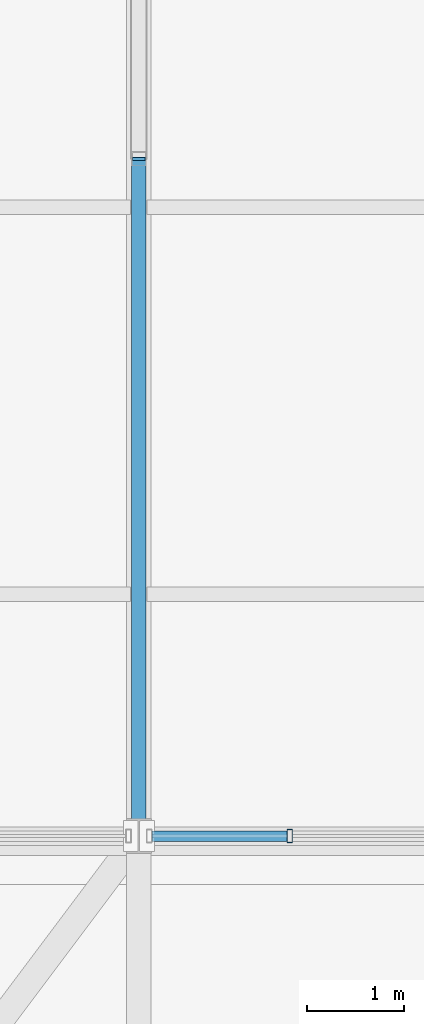
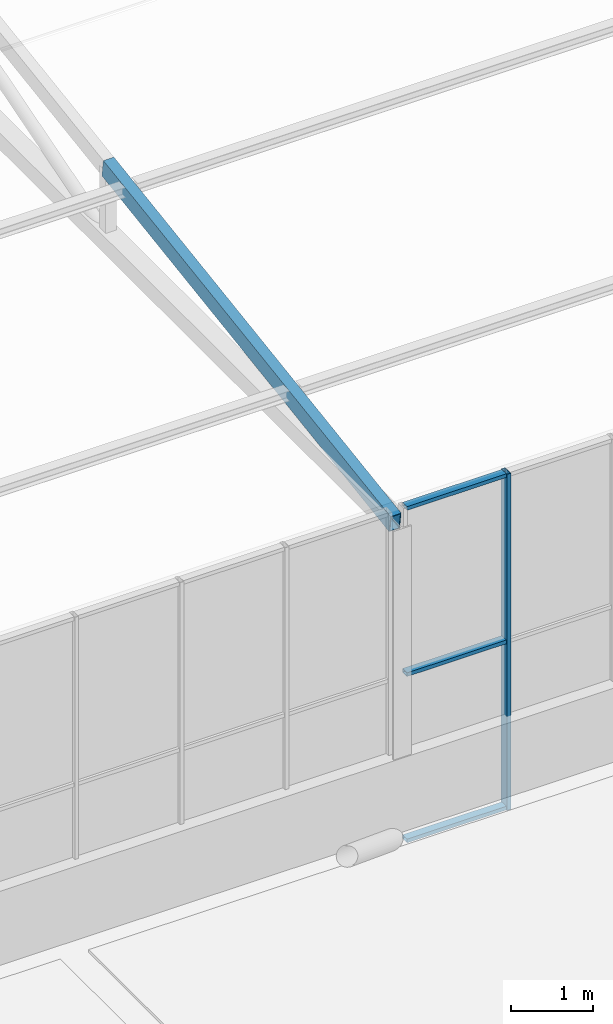
# One storey, part 57 of 104: 5 members, 1 element without a shape of its own.
"""IFC4 building model written with IfcOpenShell, lengths in metres."""

from ifc_helpers import new_model, si_unit, direction, frame, origin, origin_2d, place, context, subcontext, project, spatial, hollow_rectangle, extrude, material, layer, layer_set, material_profile, profile_set, type_object, element, aggregate, save


model = new_model("IFC4")

# Units and contexts
model_context = context("Model", 3, precision=1e-05, world=origin(), true_north=direction((0.0, 1.0)))
body_context = subcontext(model_context, "Body", "Model", "MODEL_VIEW")
ifc_project = project(units=[si_unit("LENGTHUNIT", "METRE"), si_unit("AREAUNIT", "SQUARE_METRE"), si_unit("VOLUMEUNIT", "CUBIC_METRE"), si_unit("PLANEANGLEUNIT", "RADIAN"), si_unit("MASSUNIT", "GRAM", prefix="KILO")], contexts=[model_context])

# Site, building, storey
site_placement = place(None, origin())
site = spatial("IfcSite", under=ifc_project, at=site_placement, CompositionType="ELEMENT")
building_placement = place(site_placement, origin())
building = spatial("IfcBuilding", under=site, at=building_placement, Name="Solvenia Promenade Tram Depot", CompositionType="ELEMENT")
storey_placement = place(building_placement, frame((0.0, 0.0, 9.0)))
storey = spatial("IfcBuildingStorey", under=building, at=storey_placement, Name="L02", CompositionType="ELEMENT", Elevation=9.0)

# Curtain wall, members
ifc_material_1 = material(Name="Anodized aluminium AW-6063 T6", Category="aluminium")
ifc_layer = layer(ifc_material_1, 0.080078125, Name="Anodized aluminium AW-6063 T6", Category="aluminium")
ifc_layer_set = layer_set([ifc_layer], Name="Anodized aluminium AW-6063 T6")
curtain_wall_type = type_object("IfcCurtainWallType", Name="CW-Clerest-1500", PredefinedType="NOTDEFINED", material=ifc_layer_set)
curtain_wall_placement = place(storey_placement, origin())
curtain_wall = element("IfcCurtainWall", 1, at=curtain_wall_placement, inside=storey, type_object=curtain_wall_type, Name="Curtain Wall CW-V2S-L2-09", PredefinedType="NOTDEFINED")
ifc_material_profile_1 = material_profile(ifc_material_1, hollow_rectangle(XDim=0.139892578125, YDim=0.054931640625, WallThickness=0.00390625, at=origin_2d()), Name="ALU-M4", Category="aluminium")
ifc_profile_set_1 = profile_set([ifc_material_profile_1], Name="Anodized aluminium AW-6063 T6")
member_type_1 = type_object("IfcMemberType", Name="CWM-Mullion-4", PredefinedType="MULLION", material=ifc_profile_set_1)
member_1_placement = place(storey_placement, frame((175.56005859375, 24.0, -0.300048828125), z_axis=(0.0, 0.0, 1.0), x_axis=(0.0, 1.0, 0.0)))
member_1 = element("IfcMember", 2, at=member_1_placement, type_object=member_type_1, Name="CW-4 mullion 2", PredefinedType="MULLION", context=body_context, shape_type="SweptSolid", body=[
    extrude(hollow_rectangle(XDim=0.139892578125, YDim=0.054931640625, WallThickness=0.00390625, at=origin_2d()), origin(), (0.0, 0.0, 1.0), 5.0),
])
ifc_material_profile_2 = material_profile(ifc_material_1, hollow_rectangle(XDim=0.110107421875, YDim=0.054931640625, WallThickness=0.00390625, at=origin_2d()), Name="ALU-T4", Category="aluminium")
ifc_profile_set_2 = profile_set([ifc_material_profile_2], Name="Anodized aluminium AW-6063 T6")
member_type_2 = type_object("IfcMemberType", Name="CWT-Transom-4", PredefinedType="USERDEFINED", material=ifc_profile_set_2)
member_2_placement = place(storey_placement, frame((174.135009765625, 24.0, -0.2724609375), z_axis=(1.0, 0.0, 0.0), x_axis=(0.0, 1.0, 0.0)))
member_2 = element("IfcMember", 3, at=member_2_placement, type_object=member_type_2, Name="CW-4 transom 1.1", ObjectType="TRANSOM", PredefinedType="USERDEFINED", context=body_context, shape_type="SweptSolid", body=[
    extrude(hollow_rectangle(XDim=0.110107421875, YDim=0.054931640625, WallThickness=0.00390625, at=origin_2d()), origin(), (0.0, 0.0, 1.0), 1.3974609375),
])
member_3_placement = place(storey_placement, frame((174.135009765625, 24.0, 2.199951171875), z_axis=(1.0, 0.0, 0.0), x_axis=(0.0, 1.0, 0.0)))
member_3 = element("IfcMember", 4, at=member_3_placement, type_object=member_type_2, Name="CW-4 transom 1.2", ObjectType="TRANSOM", PredefinedType="USERDEFINED", context=body_context, shape_type="SweptSolid", body=[
    extrude(hollow_rectangle(XDim=0.110107421875, YDim=0.054931640625, WallThickness=0.00390625, at=origin_2d()), origin(), (0.0, 0.0, 1.0), 1.3974609375),
])
member_4_placement = place(storey_placement, frame((174.135009765625, 24.0, 4.672607421875), z_axis=(1.0, 0.0, 0.0), x_axis=(0.0, 1.0, 0.0)))
member_4 = element("IfcMember", 5, at=member_4_placement, type_object=member_type_2, Name="CW-4 transom 1.3", ObjectType="TRANSOM", PredefinedType="USERDEFINED", context=body_context, shape_type="SweptSolid", body=[
    extrude(hollow_rectangle(XDim=0.110107421875, YDim=0.054931640625, WallThickness=0.00390625, at=origin_2d()), origin(), (0.0, 0.0, 1.0), 1.3974609375),
])
aggregate(curtain_wall, [member_1, member_2, member_3, member_4])

# Member
ifc_material_2 = material(Name="Structural steel ASTM A500 Gr. C", Category="steel")
ifc_material_profile_3 = material_profile(ifc_material_2, hollow_rectangle(XDim=0.14990234375, YDim=0.25, WallThickness=0.010009765625, at=origin_2d()), Name="HSS250x150x10", Category="steel")
ifc_profile_set_3 = profile_set([ifc_material_profile_3], Name="Structural steel ASTM A500 Gr. C")
member_type_3 = type_object("IfcMemberType", Name="Chord-HSS250x150x10", PredefinedType="CHORD", material=ifc_profile_set_3)
member_5_placement = place(storey_placement, frame((174.0, 24.0, 4.47998046875), z_axis=(0.0, 0.988935340875, 0.148347199397), x_axis=(-1.0, 0.0, 0.0)))
element("IfcMember", 6, at=member_5_placement, inside=storey, type_object=member_type_3, Name="Crane Hall Clerestory Rafter 09S", PredefinedType="CHORD", context=body_context, shape_type="SweptSolid", body=[
    extrude(hollow_rectangle(XDim=0.14990234375, YDim=0.25, WallThickness=0.010009765625, at=origin_2d()), origin(), (0.0, 0.0, 1.0), 7.078369140625),
])

save(model, "model.ifc")
